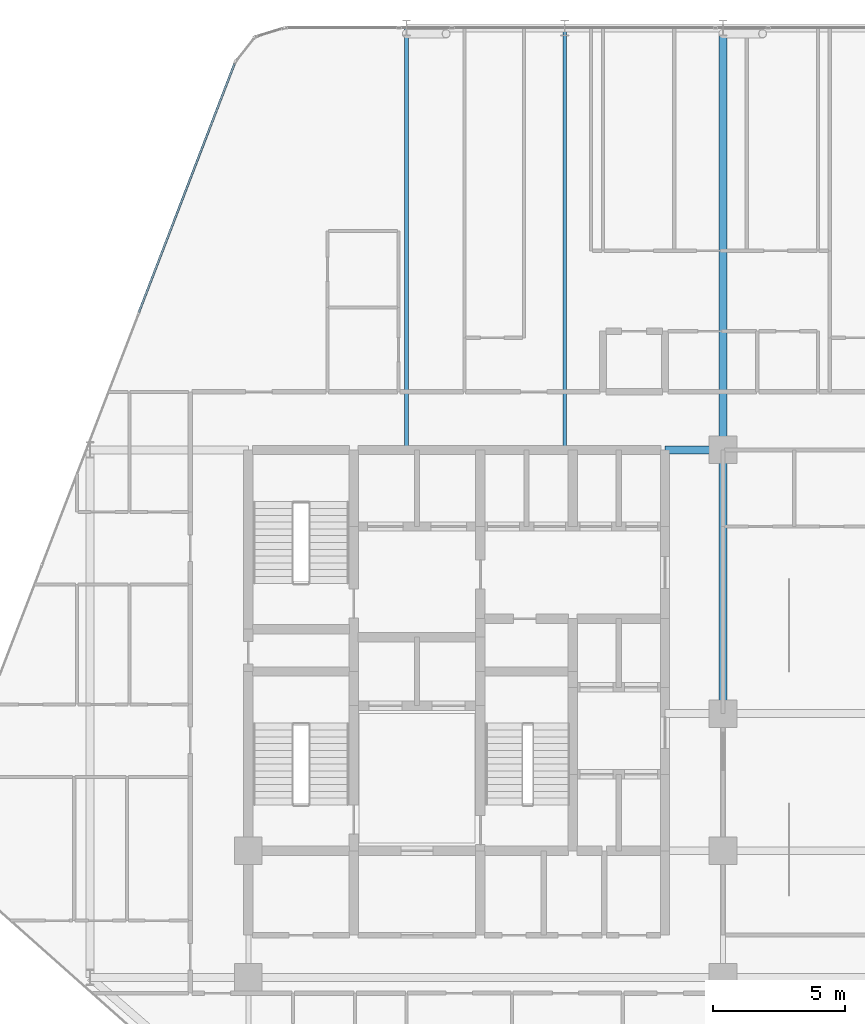
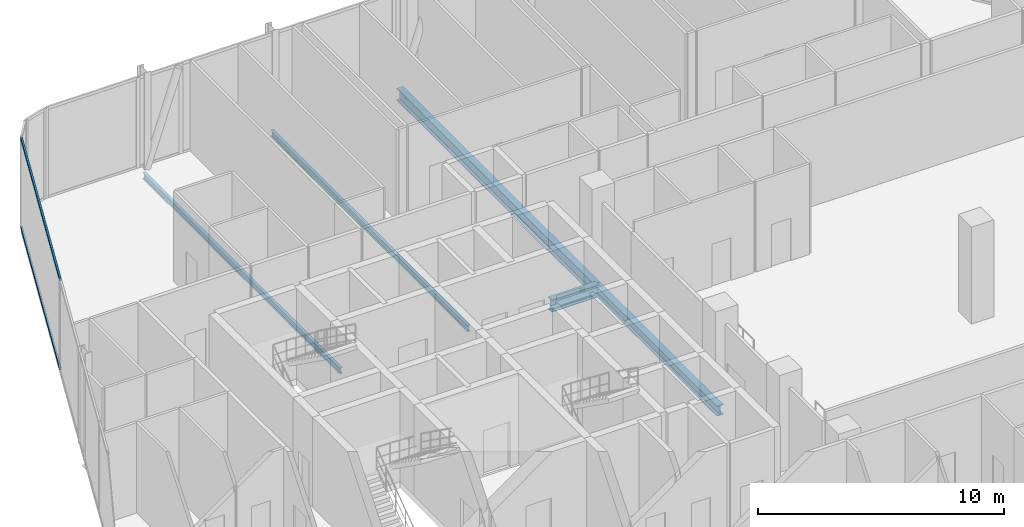
# One storey, part 15 of 29: 5 beams, 2 members, 1 element without a shape of its own.
"""IFC4 building model written with IfcOpenShell, lengths in metres."""

from ifc_helpers import new_model, si_unit, direction, frame, origin, origin_2d, place, context, subcontext, project, spatial, hollow_rectangle, i_section, extrude, material, layer, layer_set, material_profile, profile_set, type_object, element, aggregate, save


model = new_model("IFC4")

# Units and contexts
model_context = context("Model", 3, precision=1e-05, world=origin(), true_north=direction((0.0, 1.0)))
body_context = subcontext(model_context, "Body", "Model", "MODEL_VIEW")
ifc_project = project(units=[si_unit("LENGTHUNIT", "METRE"), si_unit("AREAUNIT", "SQUARE_METRE"), si_unit("VOLUMEUNIT", "CUBIC_METRE"), si_unit("PLANEANGLEUNIT", "RADIAN"), si_unit("MASSUNIT", "GRAM", prefix="KILO")], contexts=[model_context])

# Site, building, storey
site_placement = place(None, origin())
site = spatial("IfcSite", under=ifc_project, at=site_placement, CompositionType="ELEMENT")
building_placement = place(site_placement, origin())
building = spatial("IfcBuilding", under=site, at=building_placement, Name="Keshet Zoharim Tower", CompositionType="ELEMENT")
storey_placement = place(building_placement, frame((0.0, 0.0, 120.5)))
storey = spatial("IfcBuildingStorey", under=building, at=storey_placement, Name="L29", CompositionType="ELEMENT", Elevation=120.5)

# Beams
ifc_material_1 = material(Name="Steel S355", Category="steel")
ifc_material_profile_1 = material_profile(ifc_material_1, i_section(OverallWidth=0.300048828125, OverallDepth=0.60009765625, WebThickness=0.015380859375, FlangeThickness=0.030029296875, FilletRadius=0.027099609375, at=origin_2d()), Name="HEB600")
ifc_profile_set_1 = profile_set([ifc_material_profile_1], Name="Steel S355")
beam_type_1 = type_object("IfcBeamType", Name="BM-CLK-HB600", PredefinedType="BEAM", material=ifc_profile_set_1)
beam_1_placement = place(storey_placement, frame((30.800048828125, 37.89990234375, -0.6201171875), z_axis=(1.0, 0.0, 0.0), x_axis=(0.0, 1.0, 0.0)))
element("IfcBeam", 1, at=beam_1_placement, inside=storey, type_object=beam_type_1, Name="L29 Core Wall Link Girder 03", PredefinedType="BEAM", context=body_context, shape_type="SweptSolid", body=[
    extrude(i_section(OverallWidth=0.300048828125, OverallDepth=0.60009765625, WebThickness=0.015380859375, FlangeThickness=0.030029296875, FilletRadius=0.027099609375, at=origin_2d()), origin(), (0.0, 0.0, 1.0), 2.199951171875),
])
ifc_material_profile_2 = material_profile(ifc_material_1, i_section(OverallWidth=0.14990234375, OverallDepth=0.300048828125, WebThickness=0.007080078125, FlangeThickness=0.0107421875, FilletRadius=0.014892578125, at=origin_2d()), Name="IPE300")
ifc_profile_set_2 = profile_set([ifc_material_profile_2], Name="Steel S355")
beam_type_2 = type_object("IfcBeamType", Name="BM-JST-IP300", PredefinedType="JOIST", material=ifc_profile_set_2)
for number, where, z_axis, x_axis, name in (
    (2, (21.0, 37.89990234375, -0.469970703125), (0.0, 1.0, 0.0), (-1.0, 0.0, 0.0), "L29 Secondary Floor Joist J-001"),
    (3, (27.0, 37.89990234375, -0.469970703125), (0.0, 1.0, 0.0), (-1.0, 0.0, 0.0), "L29 Secondary Floor Joist J-002"),
):
    element("IfcBeam", number, at=place(storey_placement, frame(where, z_axis=z_axis, x_axis=x_axis)), inside=storey, type_object=beam_type_2, Name=name, PredefinedType="JOIST", context=body_context, shape_type="SweptSolid", body=[
        extrude(i_section(OverallWidth=0.14990234375, OverallDepth=0.300048828125, WebThickness=0.007080078125, FlangeThickness=0.0107421875, FilletRadius=0.014892578125, at=origin_2d()), origin(), (0.0, 0.0, 1.0), 16.0),
    ])
ifc_material_profile_3 = material_profile(ifc_material_1, i_section(OverallWidth=0.300048828125, OverallDepth=0.60009765625, WebThickness=0.015380859375, FlangeThickness=0.030029296875, FilletRadius=0.027099609375, at=origin_2d()), Name="HEB600")
ifc_profile_set_3 = profile_set([ifc_material_profile_3], Name="Steel S355")
beam_type_3 = type_object("IfcBeamType", Name="BM-LNG-HB600", PredefinedType="BEAM", material=ifc_profile_set_3)
beam_2_placement = place(storey_placement, frame((33.0, 37.89990234375, -0.6201171875), z_axis=(0.0, 1.0, 0.0), x_axis=(-1.0, 0.0, 0.0)))
element("IfcBeam", 4, at=beam_2_placement, inside=storey, type_object=beam_type_3, Name="L29 Primary Girder Y-011", PredefinedType="BEAM", context=body_context, shape_type="SweptSolid", body=[
    extrude(i_section(OverallWidth=0.300048828125, OverallDepth=0.60009765625, WebThickness=0.015380859375, FlangeThickness=0.030029296875, FilletRadius=0.027099609375, at=origin_2d()), origin(), (0.0, 0.0, 1.0), 16.0),
])
ifc_material_profile_4 = material_profile(ifc_material_1, i_section(OverallWidth=0.300048828125, OverallDepth=0.5, WebThickness=0.014404296875, FlangeThickness=0.028076171875, FilletRadius=0.027099609375, at=origin_2d()), Name="HEB500")
ifc_profile_set_4 = profile_set([ifc_material_profile_4], Name="Steel S355")
beam_type_4 = type_object("IfcBeamType", Name="BM-MED-HB500", PredefinedType="BEAM", material=ifc_profile_set_4)
beam_3_placement = place(storey_placement, frame((33.0, 27.89990234375, -0.570068359375), z_axis=(0.0, 1.0, 0.0), x_axis=(-1.0, 0.0, 0.0)))
element("IfcBeam", 5, at=beam_3_placement, inside=storey, type_object=beam_type_4, Name="L29 Primary Girder Y-010", PredefinedType="BEAM", context=body_context, shape_type="SweptSolid", body=[
    extrude(i_section(OverallWidth=0.300048828125, OverallDepth=0.5, WebThickness=0.014404296875, FlangeThickness=0.028076171875, FilletRadius=0.027099609375, at=origin_2d()), origin(), (0.0, 0.0, 1.0), 10.0),
])

# Curtain wall, members
ifc_material_2 = material(Name="Aluminium 6063-T6", Category="aluminium")
ifc_layer = layer(ifc_material_2, 0.14990234375)
ifc_layer_set = layer_set([ifc_layer], Name="Aluminium 6063-T6")
curtain_wall_type = type_object("IfcCurtainWallType", Name="CW-SYS-04", PredefinedType="NOTDEFINED", material=ifc_layer_set)
curtain_wall_placement = place(storey_placement, origin())
curtain_wall = element("IfcCurtainWall", 6, at=curtain_wall_placement, inside=storey, type_object=curtain_wall_type, Name="L29 Unitised Curtain Wall 10", PredefinedType="NOTDEFINED")
ifc_material_profile_5 = material_profile(ifc_material_2, hollow_rectangle(XDim=0.080078125, YDim=0.139892578125, WallThickness=0.00390625, at=origin_2d()), Name="TRN-80x140")
ifc_profile_set_5 = profile_set([ifc_material_profile_5], Name="Aluminium 6063-T6")
member_type = type_object("IfcMemberType", Name="CWT-T14", PredefinedType="USERDEFINED", material=ifc_profile_set_5)
member_1_placement = place(storey_placement, frame((10.849609375, 43.10888671875, 0.034912109375), z_axis=(0.358985546764, 0.933343118694, 0.0), x_axis=(-0.933343118694, 0.358985546764, 0.0)))
member_1 = element("IfcMember", 7, at=member_1_placement, type_object=member_type, Name="CW-04 transom 3.1", ObjectType="TRANSOM", PredefinedType="USERDEFINED", context=body_context, shape_type="SweptSolid", body=[
    extrude(hollow_rectangle(XDim=0.080078125, YDim=0.139892578125, WallThickness=0.00390625, at=origin_2d()), origin(), (0.0, 0.0, 1.0), 10.118408203125),
])
member_2_placement = place(storey_placement, frame((10.849609375, 43.10888671875, 4.445068359375), z_axis=(0.358985546764, 0.933343118694, 0.0), x_axis=(-0.933343118694, 0.358985546764, 0.0)))
member_2 = element("IfcMember", 8, at=member_2_placement, type_object=member_type, Name="CW-04 transom 3.2", ObjectType="TRANSOM", PredefinedType="USERDEFINED", context=body_context, shape_type="SweptSolid", body=[
    extrude(hollow_rectangle(XDim=0.080078125, YDim=0.139892578125, WallThickness=0.00390625, at=origin_2d()), origin(), (0.0, 0.0, 1.0), 10.118408203125),
])
aggregate(curtain_wall, [member_1, member_2])

save(model, "model.ifc")
